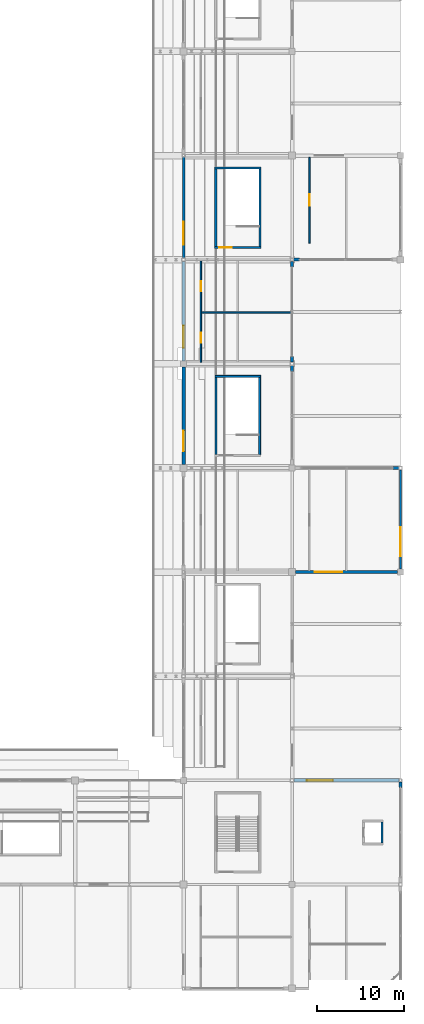
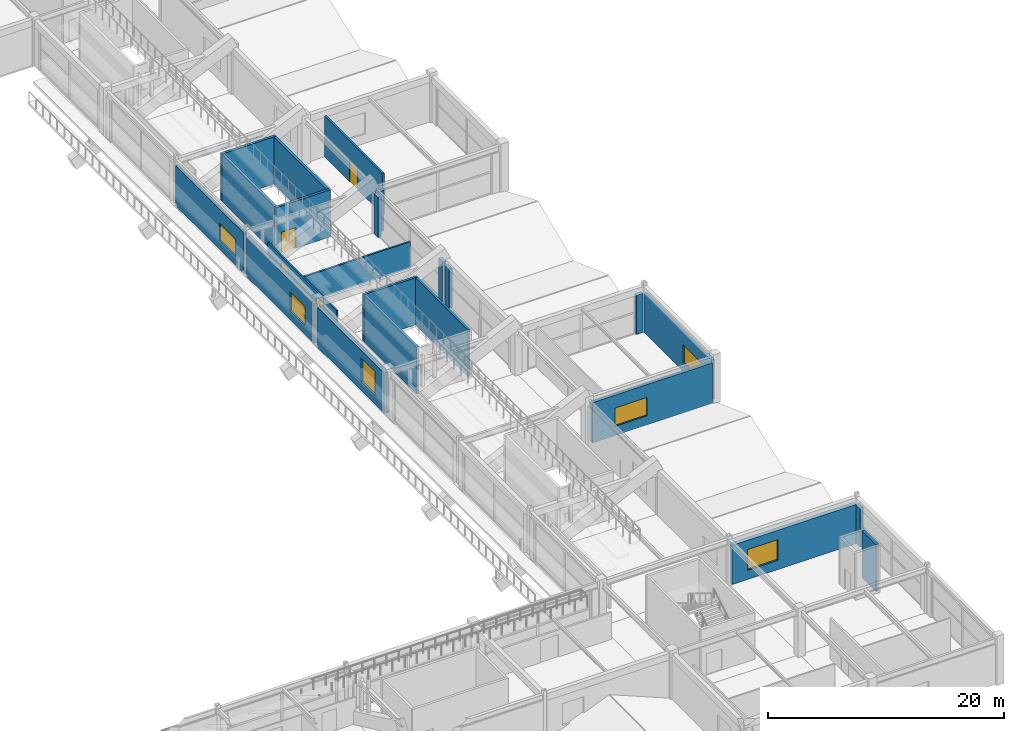
# One storey, part 93 of 128: 23 walls, 6 windows, 4 doors, 10 openings.
"""IFC4 building model written with IfcOpenShell, lengths in metres."""

from ifc_helpers import new_model, si_unit, direction, frame, frame_2d, origin, place, context, subcontext, project, spatial, rectangle, extrude, material, layer, layer_set, type_object, element, fill, save


model = new_model("IFC4")

# Units and contexts
model_context = context("Model", 3, precision=1e-05, world=origin(), true_north=direction((0.0, 1.0)))
body_context = subcontext(model_context, "Body", "Model", "MODEL_VIEW")
ifc_project = project(units=[si_unit("LENGTHUNIT", "METRE"), si_unit("AREAUNIT", "SQUARE_METRE"), si_unit("VOLUMEUNIT", "CUBIC_METRE"), si_unit("PLANEANGLEUNIT", "RADIAN"), si_unit("MASSUNIT", "GRAM", prefix="KILO")], contexts=[model_context])

# Site, building, storey
site_placement = place(None, origin())
site = spatial("IfcSite", under=ifc_project, at=site_placement, CompositionType="ELEMENT")
building_placement = place(site_placement, origin())
building = spatial("IfcBuilding", under=site, at=building_placement, Name="Kazenohara Klinker Stadium", CompositionType="ELEMENT")
storey_placement = place(building_placement, frame((0.0, 0.0, 15.300048828125)))
storey = spatial("IfcBuildingStorey", under=building, at=storey_placement, Name="L03", CompositionType="ELEMENT", Elevation=15.300048828125)

# Walls
ifc_material_1 = material(Name="Concrete C40/50", Category="concrete")
ifc_layer_1 = layer(ifc_material_1, 0.22998046875)
ifc_layer_set_1 = layer_set([ifc_layer_1], Name="Concrete C40/50")
wall_type_1 = type_object("IfcWallType", Name="WAL-CORE-230", PredefinedType="SHEAR", material=ifc_layer_set_1)
wall_1_placement = place(storey_placement, frame((178.6201171875, 82.56494140625, 0.0), z_axis=(0.0, 0.0, 1.0), x_axis=(1.0, 0.0, 0.0)))
element("IfcWall", 1, at=wall_1_placement, inside=storey, type_object=wall_type_1, Name="Stairwell shear wall ST22 L03 North", PredefinedType="SHEAR", context=body_context, shape_type="SweptSolid", body=[
    extrude(rectangle(XDim=5.259765625, YDim=0.22998046875, at=frame_2d((2.6298828125, 0.0))), origin(), (0.0, 0.0, 1.0), 4.85986328125),
])
for number, where, z_axis, x_axis, name in (
    (2, (178.735107421875, 73.550048828125, 0.0), (0.0, 0.0, 1.0), (0.0, 1.0, 0.0), "Stairwell shear wall ST22 L03 West"),
    (3, (183.764892578125, 73.550048828125, 0.0), (0.0, 0.0, 1.0), (0.0, 1.0, 0.0), "Stairwell shear wall ST22 L03 East"),
):
    element("IfcWall", number, at=place(storey_placement, frame(where, z_axis=z_axis, x_axis=x_axis)), inside=storey, type_object=wall_type_1, Name=name, PredefinedType="SHEAR", context=body_context, shape_type="SweptSolid", body=[
        extrude(rectangle(XDim=8.89990234375, YDim=0.22998046875, at=frame_2d((4.449951171875, 0.0))), origin(), (0.0, 0.0, 1.0), 4.85986328125),
    ])
wall_2_placement = place(storey_placement, frame((197.864990234375, 28.800048828125, 0.0), z_axis=(0.0, 0.0, 1.0), x_axis=(0.0, 1.0, 0.0)))
element("IfcWall", 4, at=wall_2_placement, inside=storey, type_object=wall_type_1, Name="Elevator shaft wall LP06 L03 East", PredefinedType="SHEAR", context=body_context, shape_type="SweptSolid", body=[
    extrude(rectangle(XDim=2.39990234375, YDim=0.22998046875, at=frame_2d((1.199951171875, 0.0))), origin(), (0.0, 0.0, 1.0), 4.85986328125),
])

# Wall, opening, door
ifc_layer_2 = layer(ifc_material_1, 0.25)
ifc_layer_set_2 = layer_set([ifc_layer_2], Name="Concrete C40/50")
wall_type_2 = type_object("IfcWallType", Name="WAL-CORE-250", PredefinedType="SHEAR", material=ifc_layer_set_2)
wall_3_placement = place(storey_placement, frame((178.580078125, 97.425048828125, 0.0), z_axis=(0.0, 0.0, 1.0), x_axis=(1.0, 0.0, 0.0)))
wall_3 = element("IfcWall", 5, at=wall_3_placement, inside=storey, type_object=wall_type_2, Name="Stairwell shear wall ST23 L03 South", PredefinedType="SHEAR", context=body_context, shape_type="SweptSolid", body=[
    extrude(rectangle(XDim=5.33984375, YDim=0.25, at=frame_2d((2.669921875, 0.0))), origin(), (0.0, 0.0, 1.0), 4.85986328125),
])
opening_1_placement = place(wall_3_placement, frame((0.550048828125, 0.0, 0.0)))
opening_1 = element("IfcOpeningElement", 6, at=opening_1_placement, cuts=wall_3, Name="Opening SD01", PredefinedType="OPENING", context=body_context, shape_type="SweptSolid", body=[
    extrude(rectangle(XDim=1.39990234375, YDim=2.14990234375, at=frame_2d((0.699951171875, 1.074951171875))), frame((0.0, 0.135009765625, 0.0), z_axis=(0.0, -1.0, 0.0), x_axis=(1.0, 0.0, 0.0)), (0.0, 0.0, 1.0), 0.27001953125),
])
ifc_material_2 = material(Name="Flush painted steel fire door leaf", Category="steel")
door_type_1 = type_object("IfcDoorType", Name="DR-STR-1400x2150", OperationType="NOTDEFINED", PredefinedType="DOOR", material=ifc_material_2)
door_1_placement = place(opening_1_placement, origin())
door_1 = element("IfcDoor", 7, at=door_1_placement, inside=storey, type_object=door_type_1, Name="Escape stairwell fire door ST23-L03", OperationType="SINGLE_SWING_RIGHT", OverallHeight=2.14990234375, OverallWidth=1.39990234375, PredefinedType="DOOR", context=body_context, shape_type="SweptSolid", body=[
    extrude(rectangle(XDim=1.39990234375, YDim=2.14990234375, at=frame_2d((0.699951171875, 1.074951171875))), frame((0.0, 0.02490234375, 0.0), z_axis=(0.0, -1.0, 0.0), x_axis=(1.0, 0.0, 0.0)), (0.0, 0.0, 1.0), 0.050048828125),
])
fill(opening_1, door_1)

# Walls
wall_4_placement = place(storey_placement, frame((178.580078125, 106.574951171875, 0.0), z_axis=(0.0, 0.0, 1.0), x_axis=(1.0, 0.0, 0.0)))
element("IfcWall", 8, at=wall_4_placement, inside=storey, type_object=wall_type_2, Name="Stairwell shear wall ST23 L03 North", PredefinedType="SHEAR", context=body_context, shape_type="SweptSolid", body=[
    extrude(rectangle(XDim=5.33984375, YDim=0.25, at=frame_2d((2.669921875, 0.0))), origin(), (0.0, 0.0, 1.0), 4.85986328125),
])
for number, where, z_axis, x_axis, name in (
    (9, (178.705078125, 97.550048828125, 0.0), (0.0, 0.0, 1.0), (0.0, 1.0, 0.0), "Stairwell shear wall ST23 L03 West"),
    (10, (183.794921875, 97.550048828125, 0.0), (0.0, 0.0, 1.0), (0.0, 1.0, 0.0), "Stairwell shear wall ST23 L03 East"),
):
    element("IfcWall", number, at=place(storey_placement, frame(where, z_axis=z_axis, x_axis=x_axis)), inside=storey, type_object=wall_type_2, Name=name, PredefinedType="SHEAR", context=body_context, shape_type="SweptSolid", body=[
        extrude(rectangle(XDim=8.89990234375, YDim=0.25, at=frame_2d((4.449951171875, 0.0))), origin(), (0.0, 0.0, 1.0), 4.85986328125),
    ])

# Wall, opening, window
ifc_material_3 = material(Name="Clinker brick masonry", Category="masonry")
ifc_layer_3 = layer(ifc_material_3, 0.280029296875)
ifc_layer_set_3 = layer_set([ifc_layer_3], Name="Clinker brick masonry")
wall_type_3 = type_object("IfcWallType", Name="WAL-EXT-CB280", PredefinedType="SOLIDWALL", material=ifc_layer_set_3)
wall_5_placement = place(storey_placement, frame((175.0, 96.2041015625, 0.0), z_axis=(0.0, 0.0, 1.0), x_axis=(0.0, 1.0, 0.0)))
wall_5 = element("IfcWall", 11, at=wall_5_placement, inside=storey, type_object=wall_type_3, Name="Clinker brick cavity wall EW06 L03 Y14-8", PredefinedType="SOLIDWALL", context=body_context, shape_type="SweptSolid", body=[
    extrude(rectangle(XDim=11.616943359375, YDim=0.280029296875, at=frame_2d((5.80859375, 0.0))), origin(), (0.0, 0.0, 1.0), 4.159912109375),
])
opening_2_placement = place(wall_5_placement, frame((1.5, 0.0, 0.949951171875)))
opening_2 = element("IfcOpeningElement", 12, at=opening_2_placement, cuts=wall_5, Name="Opening W27", PredefinedType="OPENING", context=body_context, shape_type="SweptSolid", body=[
    extrude(rectangle(XDim=2.699951171875, YDim=1.75, at=frame_2d((1.35009765625, 0.875))), frame((0.0, 0.14990234375, 0.0), z_axis=(0.0, -1.0, 0.0), x_axis=(1.0, 0.0, 0.0)), (0.0, 0.0, 1.0), 0.300048828125),
])
ifc_material_4 = material(Name="Dark bronze aluminium frame and triple glazing", Category="aluminium")
window_type_1 = type_object("IfcWindowType", Name="WIN-AS-27", PartitioningType="SINGLE_PANEL", PredefinedType="WINDOW", material=ifc_material_4)
window_1_placement = place(opening_2_placement, origin())
window_1 = element("IfcWindow", 13, at=window_1_placement, inside=storey, type_object=window_type_1, Name="Horizontal-mullion ladder window W27 L03 Y14-8", OverallHeight=1.75, OverallWidth=2.699951171875, PartitioningType="SINGLE_PANEL", PredefinedType="WINDOW", context=body_context, shape_type="SweptSolid", body=[
    extrude(rectangle(XDim=2.699951171875, YDim=1.75, at=frame_2d((1.35009765625, 0.875))), frame((0.0, 0.030029296875, 0.0), z_axis=(0.0, -1.0, 0.0), x_axis=(1.0, 0.0, 0.0)), (0.0, 0.0, 1.0), 0.06005859375),
])
fill(opening_2, window_1)

wall_6_placement = place(storey_placement, frame((200.0, 60.35400390625, 0.0), z_axis=(0.0, 0.0, 1.0), x_axis=(0.0, 1.0, 0.0)))
wall_6 = element("IfcWall", 14, at=wall_6_placement, inside=storey, type_object=wall_type_3, Name="Clinker brick cavity wall EW06 L03 Y16-5", PredefinedType="SOLIDWALL", context=body_context, shape_type="SweptSolid", body=[
    extrude(rectangle(XDim=11.44189453125, YDim=0.280029296875, at=frame_2d((5.720947265625, 0.0))), origin(), (0.0, 0.0, 1.0), 4.06005859375),
])
opening_3_placement = place(wall_6_placement, frame((1.5, 0.0, 0.949951171875)))
opening_3 = element("IfcOpeningElement", 15, at=opening_3_placement, cuts=wall_6, Name="Opening W33", PredefinedType="OPENING", context=body_context, shape_type="SweptSolid", body=[
    extrude(rectangle(XDim=3.300048828125, YDim=1.800048828125, at=frame_2d((1.64990234375, 0.89990234375))), frame((0.0, 0.14990234375, 0.0), z_axis=(0.0, -1.0, 0.0), x_axis=(1.0, 0.0, 0.0)), (0.0, 0.0, 1.0), 0.300048828125),
])
window_type_2 = type_object("IfcWindowType", Name="WIN-AS-33", PartitioningType="SINGLE_PANEL", PredefinedType="WINDOW", material=ifc_material_4)
window_2_placement = place(opening_3_placement, origin())
window_2 = element("IfcWindow", 16, at=window_2_placement, inside=storey, type_object=window_type_2, Name="Horizontal-mullion ladder window W33 L03 Y16-5", OverallHeight=1.800048828125, OverallWidth=3.300048828125, PartitioningType="SINGLE_PANEL", PredefinedType="WINDOW", context=body_context, shape_type="SweptSolid", body=[
    extrude(rectangle(XDim=3.300048828125, YDim=1.800048828125, at=frame_2d((1.64990234375, 0.89990234375))), frame((0.0, 0.030029296875, 0.0), z_axis=(0.0, -1.0, 0.0), x_axis=(1.0, 0.0, 0.0)), (0.0, 0.0, 1.0), 0.06005859375),
])
fill(opening_3, window_2)

# Wall
ifc_layer_4 = layer(ifc_material_3, 0.340087890625)
ifc_layer_set_4 = layer_set([ifc_layer_4], Name="Clinker brick masonry")
wall_type_4 = type_object("IfcWallType", Name="WAL-EXT-CB340", PredefinedType="SOLIDWALL", material=ifc_layer_set_4)
wall_7_placement = place(storey_placement, frame((187.5, 83.14599609375, 0.0), z_axis=(0.0, 0.0, 1.0), x_axis=(0.0, 1.0, 0.0)))
element("IfcWall", 17, at=wall_7_placement, inside=storey, type_object=wall_type_4, Name="Clinker brick curtain-wall jamb pier L03 Y15-6 B", PredefinedType="SOLIDWALL", context=body_context, shape_type="SweptSolid", body=[
    extrude(rectangle(XDim=0.64990234375, YDim=0.340087890625, at=frame_2d((0.324951171875, 0.0))), origin(), (0.0, 0.0, 1.0), 4.06005859375),
])

# Wall, opening, window
wall_8_placement = place(storey_placement, frame((175.0, 84.35400390625, 0.0), z_axis=(0.0, 0.0, 1.0), x_axis=(0.0, 1.0, 0.0)))
wall_8 = element("IfcWall", 18, at=wall_8_placement, inside=storey, type_object=wall_type_4, Name="Clinker brick cavity wall EW04 L03 Y14-7", PredefinedType="SOLIDWALL", context=body_context, shape_type="SweptSolid", body=[
    extrude(rectangle(XDim=11.44189453125, YDim=0.340087890625, at=frame_2d((5.720947265625, 0.0))), origin(), (0.0, 0.0, 1.0), 4.06005859375),
])
opening_4_placement = place(wall_8_placement, frame((1.5, 0.0, 0.949951171875)))
opening_4 = element("IfcOpeningElement", 19, at=opening_4_placement, cuts=wall_8, Name="Opening W26", PredefinedType="OPENING", context=body_context, shape_type="SweptSolid", body=[
    extrude(rectangle(XDim=2.550048828125, YDim=1.949951171875, at=frame_2d((1.27490234375, 0.97509765625))), frame((0.0, 0.18017578125, 0.0), z_axis=(0.0, -1.0, 0.0), x_axis=(1.0, 0.0, 0.0)), (0.0, 0.0, 1.0), 0.360107421875),
])
window_type_3 = type_object("IfcWindowType", Name="WIN-AS-26", PartitioningType="SINGLE_PANEL", PredefinedType="WINDOW", material=ifc_material_4)
window_3_placement = place(opening_4_placement, origin())
window_3 = element("IfcWindow", 20, at=window_3_placement, inside=storey, type_object=window_type_3, Name="Horizontal-mullion ladder window W26 L03 Y14-7", OverallHeight=1.949951171875, OverallWidth=2.550048828125, PartitioningType="SINGLE_PANEL", PredefinedType="WINDOW", context=body_context, shape_type="SweptSolid", body=[
    extrude(rectangle(XDim=2.550048828125, YDim=1.949951171875, at=frame_2d((1.27490234375, 0.97509765625))), frame((0.0, 0.030029296875, 0.0), z_axis=(0.0, -1.0, 0.0), x_axis=(1.0, 0.0, 0.0)), (0.0, 0.0, 1.0), 0.06005859375),
])
fill(opening_4, window_3)

# Walls
wall_9_placement = place(storey_placement, frame((187.5, 84.2041015625, 0.0), z_axis=(0.0, 0.0, 1.0), x_axis=(0.0, 1.0, 0.0)))
element("IfcWall", 21, at=wall_9_placement, inside=storey, type_object=wall_type_4, Name="Clinker brick curtain-wall jamb pier L03 Y15-7 A", PredefinedType="SOLIDWALL", context=body_context, shape_type="SweptSolid", body=[
    extrude(rectangle(XDim=0.64990234375, YDim=0.340087890625, at=frame_2d((0.324951171875, 0.0))), origin(), (0.0, 0.0, 1.0), 4.159912109375),
])
wall_10_placement = place(storey_placement, frame((187.5, 95.1708984375, 0.0), z_axis=(0.0, 0.0, 1.0), x_axis=(0.0, 1.0, 0.0)))
element("IfcWall", 22, at=wall_10_placement, inside=storey, type_object=wall_type_4, Name="Clinker brick curtain-wall jamb pier L03 Y15-7 B", PredefinedType="SOLIDWALL", context=body_context, shape_type="SweptSolid", body=[
    extrude(rectangle(XDim=0.650146484375, YDim=0.340087890625, at=frame_2d((0.3251953125, 0.0))), origin(), (0.0, 0.0, 1.0), 4.159912109375),
])
wall_11_placement = place(storey_placement, frame((200.0, 35.1708984375, 0.0), z_axis=(0.0, 0.0, 1.0), x_axis=(0.0, 1.0, 0.0)))
element("IfcWall", 23, at=wall_11_placement, inside=storey, type_object=wall_type_4, Name="Clinker brick curtain-wall jamb pier L03 Y16-2 B", PredefinedType="SOLIDWALL", context=body_context, shape_type="SweptSolid", body=[
    extrude(rectangle(XDim=0.650146484375, YDim=0.340087890625, at=frame_2d((0.3251953125, 0.0))), origin(), (0.0, 0.0, 1.0), 4.06005859375),
])

# Wall, opening, window
wall_12_placement = place(storey_placement, frame((187.904052734375, 60.0, 0.0), z_axis=(0.0, 0.0, 1.0), x_axis=(1.0, 0.0, 0.0)))
wall_12 = element("IfcWall", 24, at=wall_12_placement, inside=storey, type_object=wall_type_4, Name="Clinker brick cavity wall EW04 L03 X15-5", PredefinedType="SOLIDWALL", context=body_context, shape_type="SweptSolid", body=[
    extrude(rectangle(XDim=11.741943359375, YDim=0.340087890625, at=frame_2d((5.87109375, 0.0))), origin(), (0.0, 0.0, 1.0), 4.171875),
])
opening_5_placement = place(wall_12_placement, frame((2.216064453125, 0.0, 0.949951171875)))
opening_5 = element("IfcOpeningElement", 25, at=opening_5_placement, cuts=wall_12, Name="Opening W32", PredefinedType="OPENING", context=body_context, shape_type="SweptSolid", body=[
    extrude(rectangle(XDim=3.14990234375, YDim=1.89990234375, at=frame_2d((1.574951171875, 0.949951171875))), frame((0.0, 0.18017578125, 0.0), z_axis=(0.0, -1.0, 0.0), x_axis=(1.0, 0.0, 0.0)), (0.0, 0.0, 1.0), 0.360107421875),
])
window_type_4 = type_object("IfcWindowType", Name="WIN-AS-32", PartitioningType="SINGLE_PANEL", PredefinedType="WINDOW", material=ifc_material_4)
window_4_placement = place(opening_5_placement, origin())
window_4 = element("IfcWindow", 26, at=window_4_placement, inside=storey, type_object=window_type_4, Name="Horizontal-mullion ladder window W32 L03 X15-5", OverallHeight=1.89990234375, OverallWidth=3.14990234375, PartitioningType="SINGLE_PANEL", PredefinedType="WINDOW", context=body_context, shape_type="SweptSolid", body=[
    extrude(rectangle(XDim=3.14990234375, YDim=1.89990234375, at=frame_2d((1.574951171875, 0.949951171875))), frame((0.0, 0.030029296875, 0.0), z_axis=(0.0, -1.0, 0.0), x_axis=(1.0, 0.0, 0.0)), (0.0, 0.0, 1.0), 0.06005859375),
])
fill(opening_5, window_4)

# Walls
wall_13_placement = place(storey_placement, frame((199.14599609375, 72.0, 0.0), z_axis=(0.0, 0.0, 1.0), x_axis=(1.0, 0.0, 0.0)))
element("IfcWall", 27, at=wall_13_placement, inside=storey, type_object=wall_type_4, Name="Clinker brick curtain-wall jamb pier L03 X15-6 B", PredefinedType="SOLIDWALL", context=body_context, shape_type="SweptSolid", body=[
    extrude(rectangle(XDim=0.64990234375, YDim=0.340087890625, at=frame_2d((0.324951171875, 0.0))), origin(), (0.0, 0.0, 1.0), 4.06005859375),
])
wall_14_placement = place(storey_placement, frame((187.678955078125, 96.0, 0.0), z_axis=(0.0, 0.0, 1.0), x_axis=(1.0, 0.0, 0.0)))
element("IfcWall", 28, at=wall_14_placement, inside=storey, type_object=wall_type_4, Name="Clinker brick curtain-wall jamb pier L03 X15-8 A", PredefinedType="SOLIDWALL", context=body_context, shape_type="SweptSolid", body=[
    extrude(rectangle(XDim=0.650146484375, YDim=0.340087890625, at=frame_2d((0.3251953125, 0.0))), origin(), (0.0, 0.0, 1.0), 4.171875),
])

# Wall, opening, window
ifc_layer_5 = layer(ifc_material_3, 0.409912109375)
ifc_layer_set_5 = layer_set([ifc_layer_5], Name="Clinker brick masonry")
wall_type_5 = type_object("IfcWallType", Name="WAL-EXT-CB410", PredefinedType="SOLIDWALL", material=ifc_layer_set_5)
wall_15_placement = place(storey_placement, frame((175.0, 72.404052734375, 0.0), z_axis=(0.0, 0.0, 1.0), x_axis=(0.0, 1.0, 0.0)))
wall_15 = element("IfcWall", 29, at=wall_15_placement, inside=storey, type_object=wall_type_5, Name="Clinker brick cavity wall EW02 L03 Y14-6", PredefinedType="SOLIDWALL", context=body_context, shape_type="SweptSolid", body=[
    extrude(rectangle(XDim=11.241943359375, YDim=0.409912109375, at=frame_2d((5.62109375, 0.0))), origin(), (0.0, 0.0, 1.0), 4.171875),
])
opening_6_placement = place(wall_15_placement, frame((1.5, 0.0, 0.949951171875)))
opening_6 = element("IfcOpeningElement", 30, at=opening_6_placement, cuts=wall_15, Name="Opening W25", PredefinedType="OPENING", context=body_context, shape_type="SweptSolid", body=[
    extrude(rectangle(XDim=2.39990234375, YDim=2.449951171875, at=frame_2d((1.199951171875, 1.22509765625))), frame((0.0, 0.21484375, 0.0), z_axis=(0.0, -1.0, 0.0), x_axis=(1.0, 0.0, 0.0)), (0.0, 0.0, 1.0), 0.429931640625),
])
window_type_5 = type_object("IfcWindowType", Name="WIN-AS-25", PartitioningType="SINGLE_PANEL", PredefinedType="WINDOW", material=ifc_material_4)
window_5_placement = place(opening_6_placement, origin())
window_5 = element("IfcWindow", 31, at=window_5_placement, inside=storey, type_object=window_type_5, Name="Horizontal-mullion ladder window W25 L03 Y14-6", OverallHeight=2.449951171875, OverallWidth=2.39990234375, PartitioningType="SINGLE_PANEL", PredefinedType="WINDOW", context=body_context, shape_type="SweptSolid", body=[
    extrude(rectangle(XDim=2.39990234375, YDim=2.449951171875, at=frame_2d((1.199951171875, 1.22509765625))), frame((0.0, 0.030029296875, 0.0), z_axis=(0.0, -1.0, 0.0), x_axis=(1.0, 0.0, 0.0)), (0.0, 0.0, 1.0), 0.06005859375),
])
fill(opening_6, window_5)

wall_16_placement = place(storey_placement, frame((187.7041015625, 36.0, 0.0), z_axis=(0.0, 0.0, 1.0), x_axis=(1.0, 0.0, 0.0)))
wall_16 = element("IfcWall", 32, at=wall_16_placement, inside=storey, type_object=wall_type_5, Name="Clinker brick cavity wall EW02 L03 X15-3", PredefinedType="SOLIDWALL", context=body_context, shape_type="SweptSolid", body=[
    extrude(rectangle(XDim=12.116943359375, YDim=0.409912109375, at=frame_2d((6.05859375, 0.0))), origin(), (0.0, 0.0, 1.0), 4.06005859375),
])
opening_7_placement = place(wall_16_placement, frame((1.5, 0.0, 0.949951171875)))
opening_7 = element("IfcOpeningElement", 33, at=opening_7_placement, cuts=wall_16, Name="Opening W31", PredefinedType="OPENING", context=body_context, shape_type="SweptSolid", body=[
    extrude(rectangle(XDim=3.0, YDim=2.14990234375, at=frame_2d((1.5, 1.074951171875))), frame((0.0, 0.21484375, 0.0), z_axis=(0.0, -1.0, 0.0), x_axis=(1.0, 0.0, 0.0)), (0.0, 0.0, 1.0), 0.429931640625),
])
window_type_6 = type_object("IfcWindowType", Name="WIN-AS-31", PartitioningType="SINGLE_PANEL", PredefinedType="WINDOW", material=ifc_material_4)
window_6_placement = place(opening_7_placement, origin())
window_6 = element("IfcWindow", 34, at=window_6_placement, inside=storey, type_object=window_type_6, Name="Horizontal-mullion ladder window W31 L03 X15-3", OverallHeight=2.14990234375, OverallWidth=3.0, PartitioningType="SINGLE_PANEL", PredefinedType="WINDOW", context=body_context, shape_type="SweptSolid", body=[
    extrude(rectangle(XDim=3.0, YDim=2.14990234375, at=frame_2d((1.5, 1.074951171875))), frame((0.0, 0.030029296875, 0.0), z_axis=(0.0, -1.0, 0.0), x_axis=(1.0, 0.0, 0.0)), (0.0, 0.0, 1.0), 0.06005859375),
])
fill(opening_7, window_6)

# Wall, openings, doors
ifc_material_5 = material(Name="Fire-rated gypsum board on acoustic studs", Category="gypsum")
ifc_layer_6 = layer(ifc_material_5, 0.14990234375)
ifc_layer_set_6 = layer_set([ifc_layer_6], Name="Fire-rated gypsum board on acoustic studs")
wall_type_6 = type_object("IfcWallType", Name="WAL-INT-P150", PredefinedType="PARTITIONING", material=ifc_layer_set_6)
wall_17_placement = place(storey_placement, frame((176.989990234375, 84.159912109375, 0.0), z_axis=(0.0, 0.0, 1.0), x_axis=(0.0, 1.0, 0.0)))
wall_17 = element("IfcWall", 35, at=wall_17_placement, inside=storey, type_object=wall_type_6, Name="Interior partition wall PT04 SPC-L03-14-07-1-1", PredefinedType="PARTITIONING", context=body_context, shape_type="SweptSolid", body=[
    extrude(rectangle(XDim=11.68017578125, YDim=0.14990234375, at=frame_2d((5.840087890625, 0.0))), origin(), (0.0, 0.0, 1.0), 2.77001953125),
])
opening_8_placement = place(wall_17_placement, frame((3.410888671875, 0.0, 0.0), z_axis=(0.0, 0.0, 1.0), x_axis=(-1.0, 0.0, 0.0)))
opening_8 = element("IfcOpeningElement", 36, at=opening_8_placement, cuts=wall_17, Name="Opening ID09", PredefinedType="OPENING", context=body_context, shape_type="SweptSolid", body=[
    extrude(rectangle(XDim=1.1201171875, YDim=2.179931640625, at=frame_2d((0.56005859375, 1.08984375))), frame((0.0, 0.0849609375, 0.0), z_axis=(0.0, -1.0, 0.0), x_axis=(1.0, 0.0, 0.0)), (0.0, 0.0, 1.0), 0.169921875),
])
opening_9_placement = place(wall_17_placement, frame((9.345703125, 0.0, 0.0), z_axis=(0.0, 0.0, 1.0), x_axis=(-1.0, 0.0, 0.0)))
opening_9 = element("IfcOpeningElement", 37, at=opening_9_placement, cuts=wall_17, Name="Opening ID10", PredefinedType="OPENING", context=body_context, shape_type="SweptSolid", body=[
    extrude(rectangle(XDim=1.14990234375, YDim=2.14990234375, at=frame_2d((0.574951171875, 1.074951171875))), frame((0.0, 0.0849609375, 0.0), z_axis=(0.0, -1.0, 0.0), x_axis=(1.0, 0.0, 0.0)), (0.0, 0.0, 1.0), 0.169921875),
])
ifc_material_6 = material(Name="Solid-core Hokkaido oak fire door", Category="wood")
door_type_2 = type_object("IfcDoorType", Name="DR-INT-09", OperationType="NOTDEFINED", PredefinedType="DOOR", material=ifc_material_6)
door_2_placement = place(opening_8_placement, origin())
door_2 = element("IfcDoor", 38, at=door_2_placement, inside=storey, type_object=door_type_2, Name="Interior door ID09 Concourse Cold-Climate Hospitality Lounge L03-1407A", OperationType="SINGLE_SWING_RIGHT", OverallHeight=2.179931640625, OverallWidth=1.1201171875, PredefinedType="DOOR", context=body_context, shape_type="SweptSolid", body=[
    extrude(rectangle(XDim=1.1201171875, YDim=2.179931640625, at=frame_2d((0.56005859375, 1.08984375))), frame((0.0, 0.02490234375, 0.0), z_axis=(0.0, -1.0, 0.0), x_axis=(1.0, 0.0, 0.0)), (0.0, 0.0, 1.0), 0.050048828125),
])
fill(opening_8, door_2)
door_type_3 = type_object("IfcDoorType", Name="DR-INT-10", OperationType="NOTDEFINED", PredefinedType="DOOR", material=ifc_material_6)
door_3_placement = place(opening_9_placement, origin())
door_3 = element("IfcDoor", 39, at=door_3_placement, inside=storey, type_object=door_type_3, Name="Interior door ID10 Upper Concourse Hot Beverage Bistro L03-1407B", OperationType="SINGLE_SWING_LEFT", OverallHeight=2.14990234375, OverallWidth=1.14990234375, PredefinedType="DOOR", context=body_context, shape_type="SweptSolid", body=[
    extrude(rectangle(XDim=1.14990234375, YDim=2.14990234375, at=frame_2d((0.574951171875, 1.074951171875))), frame((0.0, 0.02490234375, 0.0), z_axis=(0.0, -1.0, 0.0), x_axis=(1.0, 0.0, 0.0)), (0.0, 0.0, 1.0), 0.050048828125),
])
fill(opening_9, door_3)

# Wall
ifc_layer_7 = layer(ifc_material_5, 0.169921875)
ifc_layer_set_7 = layer_set([ifc_layer_7], Name="Fire-rated gypsum board on acoustic studs")
wall_type_7 = type_object("IfcWallType", Name="WAL-INT-P170", PredefinedType="PARTITIONING", material=ifc_layer_set_7)
wall_18_placement = place(storey_placement, frame((177.070068359375, 89.941650390625, 0.0), z_axis=(0.0, 0.0, 1.0), x_axis=(1.0, 0.0, 0.0)))
element("IfcWall", 40, at=wall_18_placement, inside=storey, type_object=wall_type_7, Name="Interior partition wall PT05 SPC-L03-14-07-1-2", PredefinedType="PARTITIONING", context=body_context, shape_type="SweptSolid", body=[
    extrude(rectangle(XDim=10.406005859375, YDim=0.169921875, at=frame_2d((5.203125, 0.0))), origin(), (0.0, 0.0, 1.0), 2.77001953125),
])

# Wall, opening, door
ifc_layer_8 = layer(ifc_material_5, 0.18994140625)
ifc_layer_set_8 = layer_set([ifc_layer_8], Name="Fire-rated gypsum board on acoustic studs")
wall_type_8 = type_object("IfcWallType", Name="WAL-INT-P190", PredefinedType="PARTITIONING", material=ifc_layer_set_8)
wall_19_placement = place(storey_placement, frame((189.489990234375, 97.919921875, 0.0), z_axis=(0.0, 0.0, 1.0), x_axis=(0.0, 1.0, 0.0)))
wall_19 = element("IfcWall", 41, at=wall_19_placement, inside=storey, type_object=wall_type_8, Name="Interior partition wall PT06 SPC-L03-15-08-1-1", PredefinedType="PARTITIONING", context=body_context, shape_type="SweptSolid", body=[
    extrude(rectangle(XDim=9.873046875, YDim=0.18994140625, at=frame_2d((4.9365234375, 0.0))), origin(), (0.0, 0.0, 1.0), 4.219970703125),
])
opening_10_placement = place(wall_19_placement, frame((5.625, 0.0, 0.0), z_axis=(0.0, 0.0, 1.0), x_axis=(-1.0, 0.0, 0.0)))
opening_10 = element("IfcOpeningElement", 42, at=opening_10_placement, cuts=wall_19, Name="Opening ID16", PredefinedType="OPENING", context=body_context, shape_type="SweptSolid", body=[
    extrude(rectangle(XDim=1.330078125, YDim=2.219970703125, at=frame_2d((0.6650390625, 1.10986328125))), frame((0.0, 0.10498046875, 0.0), z_axis=(0.0, -1.0, 0.0), x_axis=(1.0, 0.0, 0.0)), (0.0, 0.0, 1.0), 0.2099609375),
])
door_type_4 = type_object("IfcDoorType", Name="DR-INT-16", OperationType="NOTDEFINED", PredefinedType="DOOR", material=ifc_material_6)
door_4_placement = place(opening_10_placement, origin())
door_4 = element("IfcDoor", 43, at=door_4_placement, inside=storey, type_object=door_type_4, Name="Interior door ID16 Upper Concourse Supporter Dining Pavilion L03-1508A", OperationType="SINGLE_SWING_LEFT", OverallHeight=2.219970703125, OverallWidth=1.330078125, PredefinedType="DOOR", context=body_context, shape_type="SweptSolid", body=[
    extrude(rectangle(XDim=1.330078125, YDim=2.219970703125, at=frame_2d((0.6650390625, 1.10986328125))), frame((0.0, 0.02490234375, 0.0), z_axis=(0.0, -1.0, 0.0), x_axis=(1.0, 0.0, 0.0)), (0.0, 0.0, 1.0), 0.050048828125),
])
fill(opening_10, door_4)

save(model, "model.ifc")
